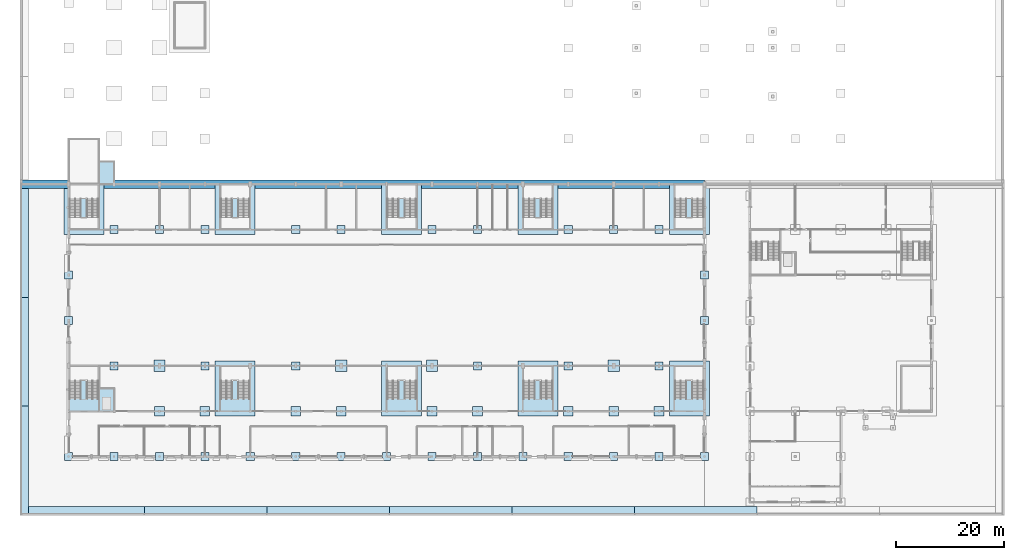
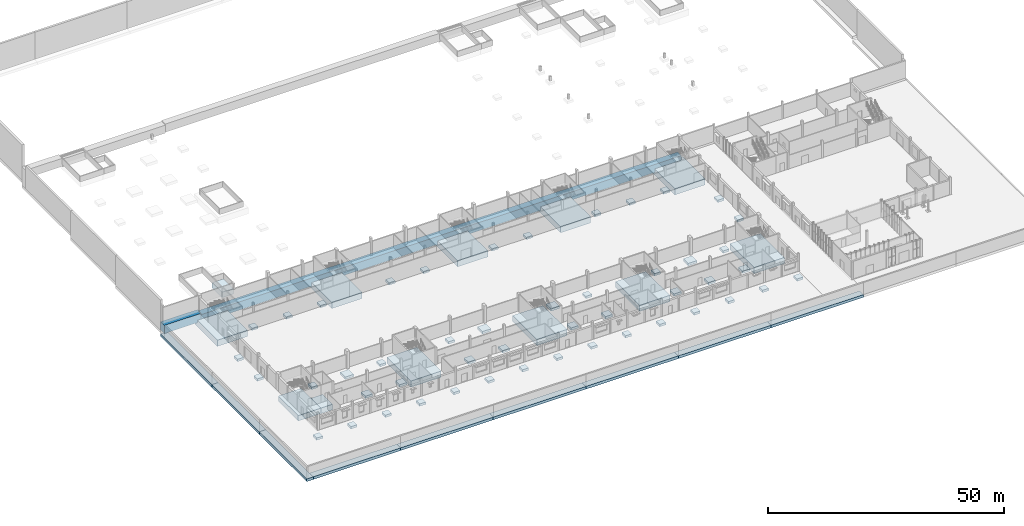
# One storey, part 1 of 36: 71 footings.
"""IFC4 building model written with IfcOpenShell, lengths in metres."""

from ifc_helpers import new_model, si_unit, direction, frame, origin, place, context, subcontext, project, spatial, polyline, outline, extrude, material, type_object, element, save


model = new_model("IFC4")

# Units and contexts
model_context = context("Model", 3, precision=1e-05, world=origin(), true_north=direction((0.0, 1.0)))
body_context = subcontext(model_context, "Body", "Model", "MODEL_VIEW")
ifc_project = project(units=[si_unit("LENGTHUNIT", "METRE"), si_unit("AREAUNIT", "SQUARE_METRE"), si_unit("VOLUMEUNIT", "CUBIC_METRE"), si_unit("PLANEANGLEUNIT", "RADIAN"), si_unit("MASSUNIT", "GRAM", prefix="KILO")], contexts=[model_context])

# Site, building, storey
site_placement = place(None, origin())
site = spatial("IfcSite", under=ifc_project, at=site_placement, CompositionType="ELEMENT")
building_placement = place(site_placement, origin())
building = spatial("IfcBuilding", under=site, at=building_placement, Name="Fescue Hill Polytechnic", CompositionType="ELEMENT")
storey_placement = place(building_placement, origin())
storey = spatial("IfcBuildingStorey", under=building, at=storey_placement, Name="L00", CompositionType="ELEMENT", Elevation=0.0)

# Footings
ifc_material = material(Name="Concrete 35 MPa", Category="concrete")
footing_type_1 = type_object("IfcFootingType", Name="Pad footing 1500x1500x600", PredefinedType="PAD_FOOTING", material=ifc_material)
footing_1_placement = place(storey_placement, frame((0.0, 0.0, -2.10009765625)))
element("IfcFooting", 1, at=footing_1_placement, inside=storey, type_object=footing_type_1, Name="FT-L00-002", PredefinedType="PAD_FOOTING", context=body_context, shape_type="SweptSolid", body=[
    extrude(outline(polyline([(0.75, -0.75), (0.75, 0.75), (-0.75, 0.75), (-0.75, -0.75), (0.75, -0.75)])), origin(), (0.0, 0.0, 1.0), 0.60009765625),
])
footing_2_placement = place(storey_placement, frame((0.0, 0.0, -2.10009765625)))
element("IfcFooting", 2, at=footing_2_placement, inside=storey, type_object=footing_type_1, Name="FT-L00-003", PredefinedType="PAD_FOOTING", context=body_context, shape_type="SweptSolid", body=[
    extrude(outline(polyline([(0.75, 24.449951171875), (0.75, 25.949951171875), (-0.75, 25.949951171875), (-0.75, 24.449951171875), (0.75, 24.449951171875)])), origin(), (0.0, 0.0, 1.0), 0.60009765625),
])
footing_3_placement = place(storey_placement, frame((0.0, 0.0, -2.10009765625)))
element("IfcFooting", 3, at=footing_3_placement, inside=storey, type_object=footing_type_1, Name="FT-L00-004", PredefinedType="PAD_FOOTING", context=body_context, shape_type="SweptSolid", body=[
    extrude(outline(polyline([(0.75, 32.85009765625), (0.75, 34.35009765625), (-0.75, 34.35009765625), (-0.75, 32.85009765625), (0.75, 32.85009765625)])), origin(), (0.0, 0.0, 1.0), 0.60009765625),
])
footing_4_placement = place(storey_placement, frame((0.0, 0.0, -2.10009765625)))
element("IfcFooting", 4, at=footing_4_placement, inside=storey, type_object=footing_type_1, Name="FT-L00-007", PredefinedType="PAD_FOOTING", context=body_context, shape_type="SweptSolid", body=[
    extrude(outline(polyline([(9.14990234375, -0.75), (9.14990234375, 0.75), (7.64990234375, 0.75), (7.64990234375, -0.75), (9.14990234375, -0.75)])), origin(), (0.0, 0.0, 1.0), 0.60009765625),
])
footing_5_placement = place(storey_placement, frame((0.0, 0.0, -2.10009765625)))
element("IfcFooting", 5, at=footing_5_placement, inside=storey, type_object=footing_type_1, Name="FT-L00-008", PredefinedType="PAD_FOOTING", context=body_context, shape_type="SweptSolid", body=[
    extrude(outline(polyline([(9.14990234375, 16.050048828125), (9.14990234375, 17.550048828125), (7.64990234375, 17.550048828125), (7.64990234375, 16.050048828125), (9.14990234375, 16.050048828125)])), origin(), (0.0, 0.0, 1.0), 0.60009765625),
])
footing_6_placement = place(storey_placement, frame((0.0, 0.0, -2.10009765625)))
element("IfcFooting", 6, at=footing_6_placement, inside=storey, type_object=footing_type_1, Name="FT-L00-009", PredefinedType="PAD_FOOTING", context=body_context, shape_type="SweptSolid", body=[
    extrude(outline(polyline([(9.14990234375, 41.25), (9.14990234375, 42.75), (7.64990234375, 42.75), (7.64990234375, 41.25), (9.14990234375, 41.25)])), origin(), (0.0, 0.0, 1.0), 0.60009765625),
])
footing_7_placement = place(storey_placement, frame((0.0, 0.0, -2.10009765625)))
element("IfcFooting", 7, at=footing_7_placement, inside=storey, type_object=footing_type_1, Name="FT-L00-012", PredefinedType="PAD_FOOTING", context=body_context, shape_type="SweptSolid", body=[
    extrude(outline(polyline([(17.550048828125, -0.75), (17.550048828125, 0.75), (16.050048828125, 0.75), (16.050048828125, -0.75), (17.550048828125, -0.75)])), origin(), (0.0, 0.0, 1.0), 0.60009765625),
])
footing_8_placement = place(storey_placement, frame((0.0, 0.0, -2.10009765625)))
element("IfcFooting", 8, at=footing_8_placement, inside=storey, type_object=footing_type_1, Name="FT-L00-013", PredefinedType="PAD_FOOTING", context=body_context, shape_type="SweptSolid", body=[
    extrude(outline(polyline([(17.550048828125, 41.25), (17.550048828125, 42.75), (16.050048828125, 42.75), (16.050048828125, 41.25), (17.550048828125, 41.25)])), origin(), (0.0, 0.0, 1.0), 0.60009765625),
])
footing_9_placement = place(storey_placement, frame((0.0, 0.0, -2.10009765625)))
element("IfcFooting", 9, at=footing_9_placement, inside=storey, type_object=footing_type_1, Name="FT-L00-015", PredefinedType="PAD_FOOTING", context=body_context, shape_type="SweptSolid", body=[
    extrude(outline(polyline([(25.949951171875, -0.75), (25.949951171875, 0.75), (24.449951171875, 0.75), (24.449951171875, -0.75), (25.949951171875, -0.75)])), origin(), (0.0, 0.0, 1.0), 0.60009765625),
])
footing_10_placement = place(storey_placement, frame((0.0, 0.0, -2.10009765625)))
element("IfcFooting", 10, at=footing_10_placement, inside=storey, type_object=footing_type_1, Name="FT-L00-016", PredefinedType="PAD_FOOTING", context=body_context, shape_type="SweptSolid", body=[
    extrude(outline(polyline([(25.949951171875, 16.050048828125), (25.949951171875, 17.550048828125), (24.449951171875, 17.550048828125), (24.449951171875, 16.050048828125), (25.949951171875, 16.050048828125)])), origin(), (0.0, 0.0, 1.0), 0.60009765625),
])
footing_11_placement = place(storey_placement, frame((0.0, 0.0, -2.10009765625)))
element("IfcFooting", 11, at=footing_11_placement, inside=storey, type_object=footing_type_1, Name="FT-L00-017", PredefinedType="PAD_FOOTING", context=body_context, shape_type="SweptSolid", body=[
    extrude(outline(polyline([(25.949951171875, 41.25), (25.949951171875, 42.75), (24.449951171875, 42.75), (24.449951171875, 41.25), (25.949951171875, 41.25)])), origin(), (0.0, 0.0, 1.0), 0.60009765625),
])
footing_12_placement = place(storey_placement, frame((0.0, 0.0, -2.10009765625)))
element("IfcFooting", 12, at=footing_12_placement, inside=storey, type_object=footing_type_1, Name="FT-L00-020", PredefinedType="PAD_FOOTING", context=body_context, shape_type="SweptSolid", body=[
    extrude(outline(polyline([(34.35009765625, -0.75), (34.35009765625, 0.75), (32.85009765625, 0.75), (32.85009765625, -0.75), (34.35009765625, -0.75)])), origin(), (0.0, 0.0, 1.0), 0.60009765625),
])
footing_13_placement = place(storey_placement, frame((0.0, 0.0, -2.10009765625)))
element("IfcFooting", 13, at=footing_13_placement, inside=storey, type_object=footing_type_1, Name="FT-L00-022", PredefinedType="PAD_FOOTING", context=body_context, shape_type="SweptSolid", body=[
    extrude(outline(polyline([(42.75, -0.75), (42.75, 0.75), (41.25, 0.75), (41.25, -0.75), (42.75, -0.75)])), origin(), (0.0, 0.0, 1.0), 0.60009765625),
])
footing_14_placement = place(storey_placement, frame((0.0, 0.0, -2.10009765625)))
element("IfcFooting", 14, at=footing_14_placement, inside=storey, type_object=footing_type_1, Name="FT-L00-023", PredefinedType="PAD_FOOTING", context=body_context, shape_type="SweptSolid", body=[
    extrude(outline(polyline([(42.75, 16.050048828125), (42.75, 17.550048828125), (41.25, 17.550048828125), (41.25, 16.050048828125), (42.75, 16.050048828125)])), origin(), (0.0, 0.0, 1.0), 0.60009765625),
])
footing_15_placement = place(storey_placement, frame((0.0, 0.0, -2.10009765625)))
element("IfcFooting", 15, at=footing_15_placement, inside=storey, type_object=footing_type_1, Name="FT-L00-024", PredefinedType="PAD_FOOTING", context=body_context, shape_type="SweptSolid", body=[
    extrude(outline(polyline([(42.75, 41.25), (42.75, 42.75), (41.25, 42.75), (41.25, 41.25), (42.75, 41.25)])), origin(), (0.0, 0.0, 1.0), 0.60009765625),
])
footing_16_placement = place(storey_placement, frame((0.0, 0.0, -2.10009765625)))
element("IfcFooting", 16, at=footing_16_placement, inside=storey, type_object=footing_type_1, Name="FT-L00-027", PredefinedType="PAD_FOOTING", context=body_context, shape_type="SweptSolid", body=[
    extrude(outline(polyline([(51.14990234375, -0.75), (51.14990234375, 0.75), (49.64990234375, 0.75), (49.64990234375, -0.75), (51.14990234375, -0.75)])), origin(), (0.0, 0.0, 1.0), 0.60009765625),
])
footing_17_placement = place(storey_placement, frame((0.0, 0.0, -2.10009765625)))
element("IfcFooting", 17, at=footing_17_placement, inside=storey, type_object=footing_type_1, Name="FT-L00-028", PredefinedType="PAD_FOOTING", context=body_context, shape_type="SweptSolid", body=[
    extrude(outline(polyline([(51.14990234375, 41.25), (51.14990234375, 42.75), (49.64990234375, 42.75), (49.64990234375, 41.25), (51.14990234375, 41.25)])), origin(), (0.0, 0.0, 1.0), 0.60009765625),
])
footing_18_placement = place(storey_placement, frame((0.0, 0.0, -2.10009765625)))
element("IfcFooting", 18, at=footing_18_placement, inside=storey, type_object=footing_type_1, Name="FT-L00-031", PredefinedType="PAD_FOOTING", context=body_context, shape_type="SweptSolid", body=[
    extrude(outline(polyline([(59.550048828125, -0.75), (59.550048828125, 0.75), (58.050048828125, 0.75), (58.050048828125, -0.75), (59.550048828125, -0.75)])), origin(), (0.0, 0.0, 1.0), 0.60009765625),
])
footing_19_placement = place(storey_placement, frame((0.0, 0.0, -2.10009765625)))
element("IfcFooting", 19, at=footing_19_placement, inside=storey, type_object=footing_type_1, Name="FT-L00-034", PredefinedType="PAD_FOOTING", context=body_context, shape_type="SweptSolid", body=[
    extrude(outline(polyline([(67.949951171875, -0.75), (67.949951171875, 0.75), (66.449951171875, 0.75), (66.449951171875, -0.75), (67.949951171875, -0.75)])), origin(), (0.0, 0.0, 1.0), 0.60009765625),
])
footing_20_placement = place(storey_placement, frame((0.0, 0.0, -2.10009765625)))
element("IfcFooting", 20, at=footing_20_placement, inside=storey, type_object=footing_type_1, Name="FT-L00-035", PredefinedType="PAD_FOOTING", context=body_context, shape_type="SweptSolid", body=[
    extrude(outline(polyline([(67.949951171875, 41.25), (67.949951171875, 42.75), (66.449951171875, 42.75), (66.449951171875, 41.25), (67.949951171875, 41.25)])), origin(), (0.0, 0.0, 1.0), 0.60009765625),
])
footing_21_placement = place(storey_placement, frame((0.0, 0.0, -2.10009765625)))
element("IfcFooting", 21, at=footing_21_placement, inside=storey, type_object=footing_type_1, Name="FT-L00-037", PredefinedType="PAD_FOOTING", context=body_context, shape_type="SweptSolid", body=[
    extrude(outline(polyline([(76.35009765625, -0.75), (76.35009765625, 0.75), (74.85009765625, 0.75), (74.85009765625, -0.75), (76.35009765625, -0.75)])), origin(), (0.0, 0.0, 1.0), 0.60009765625),
])
footing_22_placement = place(storey_placement, frame((0.0, 0.0, -2.10009765625)))
element("IfcFooting", 22, at=footing_22_placement, inside=storey, type_object=footing_type_1, Name="FT-L00-038", PredefinedType="PAD_FOOTING", context=body_context, shape_type="SweptSolid", body=[
    extrude(outline(polyline([(76.35009765625, 16.050048828125), (76.35009765625, 17.550048828125), (74.85009765625, 17.550048828125), (74.85009765625, 16.050048828125), (76.35009765625, 16.050048828125)])), origin(), (0.0, 0.0, 1.0), 0.60009765625),
])
footing_23_placement = place(storey_placement, frame((0.0, 0.0, -2.10009765625)))
element("IfcFooting", 23, at=footing_23_placement, inside=storey, type_object=footing_type_1, Name="FT-L00-039", PredefinedType="PAD_FOOTING", context=body_context, shape_type="SweptSolid", body=[
    extrude(outline(polyline([(76.35009765625, 41.25), (76.35009765625, 42.75), (74.85009765625, 42.75), (74.85009765625, 41.25), (76.35009765625, 41.25)])), origin(), (0.0, 0.0, 1.0), 0.60009765625),
])
footing_24_placement = place(storey_placement, frame((0.0, 0.0, -2.10009765625)))
element("IfcFooting", 24, at=footing_24_placement, inside=storey, type_object=footing_type_1, Name="FT-L00-042", PredefinedType="PAD_FOOTING", context=body_context, shape_type="SweptSolid", body=[
    extrude(outline(polyline([(84.75, -0.75), (84.75, 0.75), (83.25, 0.75), (83.25, -0.75), (84.75, -0.75)])), origin(), (0.0, 0.0, 1.0), 0.60009765625),
])
footing_25_placement = place(storey_placement, frame((0.0, 0.0, -2.10009765625)))
element("IfcFooting", 25, at=footing_25_placement, inside=storey, type_object=footing_type_1, Name="FT-L00-044", PredefinedType="PAD_FOOTING", context=body_context, shape_type="SweptSolid", body=[
    extrude(outline(polyline([(93.14990234375, -0.75), (93.14990234375, 0.75), (91.64990234375, 0.75), (91.64990234375, -0.75), (93.14990234375, -0.75)])), origin(), (0.0, 0.0, 1.0), 0.60009765625),
])
footing_26_placement = place(storey_placement, frame((0.0, 0.0, -2.10009765625)))
element("IfcFooting", 26, at=footing_26_placement, inside=storey, type_object=footing_type_1, Name="FT-L00-045", PredefinedType="PAD_FOOTING", context=body_context, shape_type="SweptSolid", body=[
    extrude(outline(polyline([(93.14990234375, 16.050048828125), (93.14990234375, 17.550048828125), (91.64990234375, 17.550048828125), (91.64990234375, 16.050048828125), (93.14990234375, 16.050048828125)])), origin(), (0.0, 0.0, 1.0), 0.60009765625),
])
footing_27_placement = place(storey_placement, frame((0.0, 0.0, -2.10009765625)))
element("IfcFooting", 27, at=footing_27_placement, inside=storey, type_object=footing_type_1, Name="FT-L00-046", PredefinedType="PAD_FOOTING", context=body_context, shape_type="SweptSolid", body=[
    extrude(outline(polyline([(93.14990234375, 41.25), (93.14990234375, 42.75), (91.64990234375, 42.75), (91.64990234375, 41.25), (93.14990234375, 41.25)])), origin(), (0.0, 0.0, 1.0), 0.60009765625),
])
footing_28_placement = place(storey_placement, frame((0.0, 0.0, -2.10009765625)))
element("IfcFooting", 28, at=footing_28_placement, inside=storey, type_object=footing_type_1, Name="FT-L00-049", PredefinedType="PAD_FOOTING", context=body_context, shape_type="SweptSolid", body=[
    extrude(outline(polyline([(101.550048828125, -0.75), (101.550048828125, 0.75), (100.050048828125, 0.75), (100.050048828125, -0.75), (101.550048828125, -0.75)])), origin(), (0.0, 0.0, 1.0), 0.60009765625),
])
footing_29_placement = place(storey_placement, frame((0.0, 0.0, -2.10009765625)))
element("IfcFooting", 29, at=footing_29_placement, inside=storey, type_object=footing_type_1, Name="FT-L00-050", PredefinedType="PAD_FOOTING", context=body_context, shape_type="SweptSolid", body=[
    extrude(outline(polyline([(101.550048828125, 41.25), (101.550048828125, 42.75), (100.050048828125, 42.75), (100.050048828125, 41.25), (101.550048828125, 41.25)])), origin(), (0.0, 0.0, 1.0), 0.60009765625),
])
footing_30_placement = place(storey_placement, frame((0.0, 0.0, -2.10009765625)))
element("IfcFooting", 30, at=footing_30_placement, inside=storey, type_object=footing_type_1, Name="FT-L00-052", PredefinedType="PAD_FOOTING", context=body_context, shape_type="SweptSolid", body=[
    extrude(outline(polyline([(109.949951171875, -0.75), (109.949951171875, 0.75), (108.449951171875, 0.75), (108.449951171875, -0.75), (109.949951171875, -0.75)])), origin(), (0.0, 0.0, 1.0), 0.60009765625),
])
footing_31_placement = place(storey_placement, frame((0.0, 0.0, -2.10009765625)))
element("IfcFooting", 31, at=footing_31_placement, inside=storey, type_object=footing_type_1, Name="FT-L00-053", PredefinedType="PAD_FOOTING", context=body_context, shape_type="SweptSolid", body=[
    extrude(outline(polyline([(109.949951171875, 16.050048828125), (109.949951171875, 17.550048828125), (108.449951171875, 17.550048828125), (108.449951171875, 16.050048828125), (109.949951171875, 16.050048828125)])), origin(), (0.0, 0.0, 1.0), 0.60009765625),
])
footing_32_placement = place(storey_placement, frame((0.0, 0.0, -2.10009765625)))
element("IfcFooting", 32, at=footing_32_placement, inside=storey, type_object=footing_type_1, Name="FT-L00-054", PredefinedType="PAD_FOOTING", context=body_context, shape_type="SweptSolid", body=[
    extrude(outline(polyline([(109.949951171875, 41.25), (109.949951171875, 42.75), (108.449951171875, 42.75), (108.449951171875, 41.25), (109.949951171875, 41.25)])), origin(), (0.0, 0.0, 1.0), 0.60009765625),
])
footing_33_placement = place(storey_placement, frame((0.0, 0.0, -2.10009765625)))
element("IfcFooting", 33, at=footing_33_placement, inside=storey, type_object=footing_type_1, Name="FT-L00-057", PredefinedType="PAD_FOOTING", context=body_context, shape_type="SweptSolid", body=[
    extrude(outline(polyline([(118.35009765625, -0.75), (118.35009765625, 0.75), (116.85009765625, 0.75), (116.85009765625, -0.75), (118.35009765625, -0.75)])), origin(), (0.0, 0.0, 1.0), 0.60009765625),
])
footing_34_placement = place(storey_placement, frame((0.0, 0.0, -2.10009765625)))
element("IfcFooting", 34, at=footing_34_placement, inside=storey, type_object=footing_type_1, Name="FT-L00-058", PredefinedType="PAD_FOOTING", context=body_context, shape_type="SweptSolid", body=[
    extrude(outline(polyline([(118.35009765625, 24.449951171875), (118.35009765625, 25.949951171875), (116.85009765625, 25.949951171875), (116.85009765625, 24.449951171875), (118.35009765625, 24.449951171875)])), origin(), (0.0, 0.0, 1.0), 0.60009765625),
])
footing_35_placement = place(storey_placement, frame((0.0, 0.0, -2.10009765625)))
element("IfcFooting", 35, at=footing_35_placement, inside=storey, type_object=footing_type_1, Name="FT-L00-059", PredefinedType="PAD_FOOTING", context=body_context, shape_type="SweptSolid", body=[
    extrude(outline(polyline([(118.35009765625, 32.85009765625), (118.35009765625, 34.35009765625), (116.85009765625, 34.35009765625), (116.85009765625, 32.85009765625), (118.35009765625, 32.85009765625)])), origin(), (0.0, 0.0, 1.0), 0.60009765625),
])
footing_type_2 = type_object("IfcFootingType", Name="Pad footing 1800x1800x600", PredefinedType="PAD_FOOTING", material=ifc_material)
footing_36_placement = place(storey_placement, frame((0.0, 0.0, -2.10009765625)))
element("IfcFooting", 36, at=footing_36_placement, inside=storey, type_object=footing_type_2, Name="FT-L00-011", PredefinedType="PAD_FOOTING", context=body_context, shape_type="SweptSolid", body=[
    extrude(outline(polyline([(17.699951171875, 7.5), (17.699951171875, 9.300048828125), (15.89990234375, 9.300048828125), (15.89990234375, 7.5), (17.699951171875, 7.5)])), origin(), (0.0, 0.0, 1.0), 0.60009765625),
])
footing_37_placement = place(storey_placement, frame((0.0, 0.0, -2.10009765625)))
element("IfcFooting", 37, at=footing_37_placement, inside=storey, type_object=footing_type_2, Name="FT-L00-014", PredefinedType="PAD_FOOTING", context=body_context, shape_type="SweptSolid", body=[
    extrude(outline(polyline([(26.10009765625, 7.5), (26.10009765625, 9.300048828125), (24.300048828125, 9.300048828125), (24.300048828125, 7.5), (26.10009765625, 7.5)])), origin(), (0.0, 0.0, 1.0), 0.60009765625),
])
footing_38_placement = place(storey_placement, frame((0.0, 0.0, -2.10009765625)))
element("IfcFooting", 38, at=footing_38_placement, inside=storey, type_object=footing_type_2, Name="FT-L00-021", PredefinedType="PAD_FOOTING", context=body_context, shape_type="SweptSolid", body=[
    extrude(outline(polyline([(42.89990234375, 7.5), (42.89990234375, 9.300048828125), (41.10009765625, 9.300048828125), (41.10009765625, 7.5), (42.89990234375, 7.5)])), origin(), (0.0, 0.0, 1.0), 0.60009765625),
])
footing_39_placement = place(storey_placement, frame((0.0, 0.0, -2.10009765625)))
element("IfcFooting", 39, at=footing_39_placement, inside=storey, type_object=footing_type_2, Name="FT-L00-026", PredefinedType="PAD_FOOTING", context=body_context, shape_type="SweptSolid", body=[
    extrude(outline(polyline([(51.300048828125, 7.5), (51.300048828125, 9.300048828125), (49.5, 9.300048828125), (49.5, 7.5), (51.300048828125, 7.5)])), origin(), (0.0, 0.0, 1.0), 0.60009765625),
])
footing_40_placement = place(storey_placement, frame((0.0, 0.0, -2.10009765625)))
element("IfcFooting", 40, at=footing_40_placement, inside=storey, type_object=footing_type_2, Name="FT-L00-033", PredefinedType="PAD_FOOTING", context=body_context, shape_type="SweptSolid", body=[
    extrude(outline(polyline([(68.10009765625, 7.5), (68.10009765625, 9.300048828125), (66.300048828125, 9.300048828125), (66.300048828125, 7.5), (68.10009765625, 7.5)])), origin(), (0.0, 0.0, 1.0), 0.60009765625),
])
footing_41_placement = place(storey_placement, frame((0.0, 0.0, -2.10009765625)))
element("IfcFooting", 41, at=footing_41_placement, inside=storey, type_object=footing_type_2, Name="FT-L00-036", PredefinedType="PAD_FOOTING", context=body_context, shape_type="SweptSolid", body=[
    extrude(outline(polyline([(76.5, 7.5), (76.5, 9.300048828125), (74.699951171875, 9.300048828125), (74.699951171875, 7.5), (76.5, 7.5)])), origin(), (0.0, 0.0, 1.0), 0.60009765625),
])
footing_42_placement = place(storey_placement, frame((0.0, 0.0, -2.10009765625)))
element("IfcFooting", 42, at=footing_42_placement, inside=storey, type_object=footing_type_2, Name="FT-L00-043", PredefinedType="PAD_FOOTING", context=body_context, shape_type="SweptSolid", body=[
    extrude(outline(polyline([(93.300048828125, 7.5), (93.300048828125, 9.300048828125), (91.5, 9.300048828125), (91.5, 7.5), (93.300048828125, 7.5)])), origin(), (0.0, 0.0, 1.0), 0.60009765625),
])
footing_43_placement = place(storey_placement, frame((0.0, 0.0, -2.10009765625)))
element("IfcFooting", 43, at=footing_43_placement, inside=storey, type_object=footing_type_2, Name="FT-L00-048", PredefinedType="PAD_FOOTING", context=body_context, shape_type="SweptSolid", body=[
    extrude(outline(polyline([(101.699951171875, 7.5), (101.699951171875, 9.300048828125), (99.89990234375, 9.300048828125), (99.89990234375, 7.5), (101.699951171875, 7.5)])), origin(), (0.0, 0.0, 1.0), 0.60009765625),
])
footing_44_placement = place(storey_placement, frame((0.0, 0.0, -2.10009765625)))
element("IfcFooting", 44, at=footing_44_placement, inside=storey, type_object=footing_type_2, Name="FT-L00-051", PredefinedType="PAD_FOOTING", context=body_context, shape_type="SweptSolid", body=[
    extrude(outline(polyline([(110.10009765625, 7.5), (110.10009765625, 9.300048828125), (108.300048828125, 9.300048828125), (108.300048828125, 7.5), (110.10009765625, 7.5)])), origin(), (0.0, 0.0, 1.0), 0.60009765625),
])
footing_type_3 = type_object("IfcFootingType", Name="Pad footing 2100x2100x600", PredefinedType="PAD_FOOTING", material=ifc_material)
footing_45_placement = place(storey_placement, frame((0.0, 0.0, -2.10009765625)))
element("IfcFooting", 45, at=footing_45_placement, inside=storey, type_object=footing_type_3, Name="FT-L00-010", PredefinedType="PAD_FOOTING", context=body_context, shape_type="SweptSolid", body=[
    extrude(outline(polyline([(17.85009765625, 15.75), (17.85009765625, 17.85009765625), (15.75, 17.85009765625), (15.75, 15.75), (17.85009765625, 15.75)])), origin(), (0.0, 0.0, 1.0), 0.60009765625),
])
footing_46_placement = place(storey_placement, frame((0.0, 0.0, -2.10009765625)))
element("IfcFooting", 46, at=footing_46_placement, inside=storey, type_object=footing_type_3, Name="FT-L00-025", PredefinedType="PAD_FOOTING", context=body_context, shape_type="SweptSolid", body=[
    extrude(outline(polyline([(51.449951171875, 15.75), (51.449951171875, 17.85009765625), (49.35009765625, 17.85009765625), (49.35009765625, 15.75), (51.449951171875, 15.75)])), origin(), (0.0, 0.0, 1.0), 0.60009765625),
])
footing_47_placement = place(storey_placement, frame((0.0, 0.0, -2.10009765625)))
element("IfcFooting", 47, at=footing_47_placement, inside=storey, type_object=footing_type_3, Name="FT-L00-032", PredefinedType="PAD_FOOTING", context=body_context, shape_type="SweptSolid", body=[
    extrude(outline(polyline([(68.25, 15.75), (68.25, 17.85009765625), (66.14990234375, 17.85009765625), (66.14990234375, 15.75), (68.25, 15.75)])), origin(), (0.0, 0.0, 1.0), 0.60009765625),
])
footing_48_placement = place(storey_placement, frame((0.0, 0.0, -2.10009765625)))
element("IfcFooting", 48, at=footing_48_placement, inside=storey, type_object=footing_type_3, Name="FT-L00-047", PredefinedType="PAD_FOOTING", context=body_context, shape_type="SweptSolid", body=[
    extrude(outline(polyline([(101.85009765625, 15.75), (101.85009765625, 17.85009765625), (99.75, 17.85009765625), (99.75, 15.75), (101.85009765625, 15.75)])), origin(), (0.0, 0.0, 1.0), 0.60009765625),
])
footing_type_4 = type_object("IfcFootingType", Name="Pad footing 2800x4200x1400", PredefinedType="PAD_FOOTING", material=ifc_material)
footing_49_placement = place(storey_placement, frame((0.0, 0.0, -2.89990234375)))
element("IfcFooting", 49, at=footing_49_placement, inside=storey, type_object=footing_type_4, Name="FT-L00-006", PredefinedType="PAD_FOOTING", context=body_context, shape_type="SweptSolid", body=[
    extrude(outline(polyline([(8.39990234375, 8.39990234375), (8.39990234375, 12.60009765625), (5.60009765625, 12.60009765625), (5.60009765625, 8.39990234375), (8.39990234375, 8.39990234375)])), origin(), (0.0, 0.0, 1.0), 1.39990234375),
])
footing_50_placement = place(storey_placement, frame((0.0, 0.0, 1.60009765625)))
element("IfcFooting", 50, at=footing_50_placement, inside=storey, type_object=footing_type_4, Name="FT-L00-088", PredefinedType="PAD_FOOTING", context=body_context, shape_type="SweptSolid", body=[
    extrude(outline(polyline([(8.39990234375, 50.39990234375), (8.39990234375, 54.60009765625), (5.60009765625, 54.60009765625), (5.60009765625, 50.39990234375), (8.39990234375, 50.39990234375)])), origin(), (0.0, 0.0, 1.0), 1.39990234375),
])
footing_type_5 = type_object("IfcFootingType", Name="Raft footing 5600x8400x1400", PredefinedType="PAD_FOOTING", material=ifc_material)
footing_51_placement = place(storey_placement, frame((0.0, 0.0, -2.89990234375)))
element("IfcFooting", 51, at=footing_51_placement, inside=storey, type_object=footing_type_5, Name="FT-L00-005", PredefinedType="PAD_FOOTING", context=body_context, shape_type="SweptSolid", body=[
    extrude(outline(polyline([(5.60009765625, 8.39990234375), (5.60009765625, 16.800048828125), (0.0, 16.800048828125), (0.0, 8.39990234375), (5.60009765625, 8.39990234375)])), origin(), (0.0, 0.0, 1.0), 1.39990234375),
])
footing_type_6 = type_object("IfcFootingType", Name="Raft footing 7400x10200x1600", PredefinedType="PAD_FOOTING", material=ifc_material)
footing_52_placement = place(storey_placement, frame((0.0, 0.0, -3.10009765625)))
element("IfcFooting", 52, at=footing_52_placement, inside=storey, type_object=footing_type_6, Name="FT-L00-018", PredefinedType="PAD_FOOTING", context=body_context, shape_type="SweptSolid", body=[
    extrude(outline(polyline([(27.10009765625, 7.5), (27.10009765625, 17.699951171875), (34.5, 17.699951171875), (34.5, 7.5), (27.10009765625, 7.5)])), origin(), (0.0, 0.0, 1.0), 1.60009765625),
])
footing_53_placement = place(storey_placement, frame((0.0, 0.0, -3.10009765625)))
element("IfcFooting", 53, at=footing_53_placement, inside=storey, type_object=footing_type_6, Name="FT-L00-029", PredefinedType="PAD_FOOTING", context=body_context, shape_type="SweptSolid", body=[
    extrude(outline(polyline([(57.89990234375, 7.5), (57.89990234375, 17.699951171875), (65.300048828125, 17.699951171875), (65.300048828125, 7.5), (57.89990234375, 7.5)])), origin(), (0.0, 0.0, 1.0), 1.60009765625),
])
footing_54_placement = place(storey_placement, frame((0.0, 0.0, -3.10009765625)))
element("IfcFooting", 54, at=footing_54_placement, inside=storey, type_object=footing_type_6, Name="FT-L00-040", PredefinedType="PAD_FOOTING", context=body_context, shape_type="SweptSolid", body=[
    extrude(outline(polyline([(83.10009765625, 7.5), (83.10009765625, 17.699951171875), (90.5, 17.699951171875), (90.5, 7.5), (83.10009765625, 7.5)])), origin(), (0.0, 0.0, 1.0), 1.60009765625),
])
footing_55_placement = place(storey_placement, frame((0.0, 0.0, -3.10009765625)))
element("IfcFooting", 55, at=footing_55_placement, inside=storey, type_object=footing_type_6, Name="FT-L00-055", PredefinedType="PAD_FOOTING", context=body_context, shape_type="SweptSolid", body=[
    extrude(outline(polyline([(111.10009765625, 7.5), (111.10009765625, 17.699951171875), (118.5, 17.699951171875), (118.5, 7.5), (111.10009765625, 7.5)])), origin(), (0.0, 0.0, 1.0), 1.60009765625),
])
footing_type_7 = type_object("IfcFootingType", Name="Raft footing 7400x9450x1600", PredefinedType="PAD_FOOTING", material=ifc_material)
footing_56_placement = place(storey_placement, frame((0.0, 0.0, -3.10009765625)))
element("IfcFooting", 56, at=footing_56_placement, inside=storey, type_object=footing_type_7, Name="FT-L00-001", PredefinedType="PAD_FOOTING", context=body_context, shape_type="SweptSolid", body=[
    extrude(outline(polyline([(6.5, 41.10009765625), (-0.89990234375, 41.10009765625), (-0.89990234375, 50.550048828125), (6.5, 50.550048828125), (6.5, 41.10009765625)])), origin(), (0.0, 0.0, 1.0), 1.60009765625),
])
footing_57_placement = place(storey_placement, frame((0.0, 0.0, -3.10009765625)))
element("IfcFooting", 57, at=footing_57_placement, inside=storey, type_object=footing_type_7, Name="FT-L00-019", PredefinedType="PAD_FOOTING", context=body_context, shape_type="SweptSolid", body=[
    extrude(outline(polyline([(34.5, 41.10009765625), (27.10009765625, 41.10009765625), (27.10009765625, 50.550048828125), (34.5, 50.550048828125), (34.5, 41.10009765625)])), origin(), (0.0, 0.0, 1.0), 1.60009765625),
])
footing_58_placement = place(storey_placement, frame((0.0, 0.0, -3.10009765625)))
element("IfcFooting", 58, at=footing_58_placement, inside=storey, type_object=footing_type_7, Name="FT-L00-030", PredefinedType="PAD_FOOTING", context=body_context, shape_type="SweptSolid", body=[
    extrude(outline(polyline([(65.300048828125, 41.10009765625), (57.89990234375, 41.10009765625), (57.89990234375, 50.550048828125), (65.300048828125, 50.550048828125), (65.300048828125, 41.10009765625)])), origin(), (0.0, 0.0, 1.0), 1.60009765625),
])
footing_59_placement = place(storey_placement, frame((0.0, 0.0, -3.10009765625)))
element("IfcFooting", 59, at=footing_59_placement, inside=storey, type_object=footing_type_7, Name="FT-L00-041", PredefinedType="PAD_FOOTING", context=body_context, shape_type="SweptSolid", body=[
    extrude(outline(polyline([(90.5, 41.10009765625), (83.10009765625, 41.10009765625), (83.10009765625, 50.550048828125), (90.5, 50.550048828125), (90.5, 41.10009765625)])), origin(), (0.0, 0.0, 1.0), 1.60009765625),
])
footing_60_placement = place(storey_placement, frame((0.0, 0.0, -3.10009765625)))
element("IfcFooting", 60, at=footing_60_placement, inside=storey, type_object=footing_type_7, Name="FT-L00-056", PredefinedType="PAD_FOOTING", context=body_context, shape_type="SweptSolid", body=[
    extrude(outline(polyline([(118.5, 41.10009765625), (111.10009765625, 41.10009765625), (111.10009765625, 50.550048828125), (118.5, 50.550048828125), (118.5, 41.10009765625)])), origin(), (0.0, 0.0, 1.0), 1.60009765625),
])
footing_type_8 = type_object("IfcFootingType", Name="Strip footing 1600x2100", PredefinedType="STRIP_FOOTING", material=ifc_material)
footing_61_placement = place(storey_placement, frame((0.0, 0.0, -2.10009765625)))
element("IfcFooting", 61, at=footing_61_placement, inside=storey, type_object=footing_type_8, Name="SF-L00-003", PredefinedType="STRIP_FOOTING", context=body_context, shape_type="SweptSolid", body=[
    extrude(outline(polyline([(0.0, 51.199951171875), (0.0, 49.60009765625), (-8.989990234375, 49.60009765625), (-8.989990234375, 51.199951171875), (0.0, 51.199951171875)])), origin(), (0.0, 0.0, 1.0), 2.10009765625),
])
footing_62_placement = place(storey_placement, frame((0.0, 0.0, -2.449951171875)))
element("IfcFooting", 62, at=footing_62_placement, inside=storey, type_object=footing_type_8, Name="SF-L00-008", PredefinedType="STRIP_FOOTING", context=body_context, shape_type="SweptSolid", body=[
    extrude(outline(polyline([(0.0, 49.60009765625), (0.0, 51.199951171875), (117.60009765625, 51.199951171875), (117.60009765625, 49.60009765625), (0.0, 49.60009765625)])), origin(), (0.0, 0.0, 1.0), 2.099853515625),
])
footing_type_9 = type_object("IfcFootingType", Name="Strip footing 1600x700", PredefinedType="STRIP_FOOTING", material=ifc_material)
footing_63_placement = place(storey_placement, frame((0.0, 0.0, -3.800048828125)))
element("IfcFooting", 63, at=footing_63_placement, inside=storey, type_object=footing_type_9, Name="SF-PW01", PredefinedType="STRIP_FOOTING", context=body_context, shape_type="SweptSolid", body=[
    extrude(outline(polyline([(-8.989990234375, -10.79296875), (-7.389892578125, -10.79296875), (-7.389892578125, 9.337890625), (-8.989990234375, 9.337890625), (-8.989990234375, -10.79296875)])), origin(), (0.0, 0.0, 1.0), 0.699951171875),
])
footing_64_placement = place(storey_placement, frame((0.0, 0.0, -3.800048828125)))
element("IfcFooting", 64, at=footing_64_placement, inside=storey, type_object=footing_type_9, Name="SF-PW02", PredefinedType="STRIP_FOOTING", context=body_context, shape_type="SweptSolid", body=[
    extrude(outline(polyline([(-8.989990234375, 9.337890625), (-7.389892578125, 9.337890625), (-7.389892578125, 29.468994140625), (-8.989990234375, 29.468994140625), (-8.989990234375, 9.337890625)])), origin(), (0.0, 0.0, 1.0), 0.699951171875),
])
footing_65_placement = place(storey_placement, frame((0.0, 0.0, -3.800048828125)))
element("IfcFooting", 65, at=footing_65_placement, inside=storey, type_object=footing_type_9, Name="SF-PW03", PredefinedType="STRIP_FOOTING", context=body_context, shape_type="SweptSolid", body=[
    extrude(outline(polyline([(-8.989990234375, 29.468994140625), (-7.389892578125, 29.468994140625), (-7.389892578125, 51.199951171875), (-8.989990234375, 51.199951171875), (-8.989990234375, 29.468994140625)])), origin(), (0.0, 0.0, 1.0), 0.699951171875),
])
footing_66_placement = place(storey_placement, frame((0.0, 0.0, -3.800048828125)))
element("IfcFooting", 66, at=footing_66_placement, inside=storey, type_object=footing_type_9, Name="SF-PW17", PredefinedType="STRIP_FOOTING", context=body_context, shape_type="SweptSolid", body=[
    extrude(outline(polyline([(-7.389892578125, -10.7900390625), (14.017578125, -10.7900390625), (14.017578125, -9.18994140625), (-7.389892578125, -9.18994140625), (-7.389892578125, -10.7900390625)])), origin(), (0.0, 0.0, 1.0), 0.699951171875),
])
footing_67_placement = place(storey_placement, frame((0.0, 0.0, -3.800048828125)))
element("IfcFooting", 67, at=footing_67_placement, inside=storey, type_object=footing_type_9, Name="SF-PW18", PredefinedType="STRIP_FOOTING", context=body_context, shape_type="SweptSolid", body=[
    extrude(outline(polyline([(14.017578125, -10.7900390625), (36.678466796875, -10.7900390625), (36.678466796875, -9.18994140625), (14.017578125, -9.18994140625), (14.017578125, -10.7900390625)])), origin(), (0.0, 0.0, 1.0), 0.699951171875),
])
footing_68_placement = place(storey_placement, frame((0.0, 0.0, -3.800048828125)))
element("IfcFooting", 68, at=footing_68_placement, inside=storey, type_object=footing_type_9, Name="SF-PW19", PredefinedType="STRIP_FOOTING", context=body_context, shape_type="SweptSolid", body=[
    extrude(outline(polyline([(36.678466796875, -10.7900390625), (59.339111328125, -10.7900390625), (59.339111328125, -9.18994140625), (36.678466796875, -9.18994140625), (36.678466796875, -10.7900390625)])), origin(), (0.0, 0.0, 1.0), 0.699951171875),
])
footing_69_placement = place(storey_placement, frame((0.0, 0.0, -3.800048828125)))
element("IfcFooting", 69, at=footing_69_placement, inside=storey, type_object=footing_type_9, Name="SF-PW20", PredefinedType="STRIP_FOOTING", context=body_context, shape_type="SweptSolid", body=[
    extrude(outline(polyline([(59.339111328125, -10.7900390625), (82.0, -10.7900390625), (82.0, -9.18994140625), (59.339111328125, -9.18994140625), (59.339111328125, -10.7900390625)])), origin(), (0.0, 0.0, 1.0), 0.699951171875),
])
footing_70_placement = place(storey_placement, frame((0.0, 0.0, -3.800048828125)))
element("IfcFooting", 70, at=footing_70_placement, inside=storey, type_object=footing_type_9, Name="SF-PW21", PredefinedType="STRIP_FOOTING", context=body_context, shape_type="SweptSolid", body=[
    extrude(outline(polyline([(82.0, -10.7900390625), (104.660888671875, -10.7900390625), (104.660888671875, -9.18994140625), (82.0, -9.18994140625), (82.0, -10.7900390625)])), origin(), (0.0, 0.0, 1.0), 0.699951171875),
])
footing_71_placement = place(storey_placement, frame((0.0, 0.0, -3.800048828125)))
element("IfcFooting", 71, at=footing_71_placement, inside=storey, type_object=footing_type_9, Name="SF-PW22", PredefinedType="STRIP_FOOTING", context=body_context, shape_type="SweptSolid", body=[
    extrude(outline(polyline([(104.660888671875, -10.7900390625), (127.321533203125, -10.7900390625), (127.321533203125, -9.18994140625), (104.660888671875, -9.18994140625), (104.660888671875, -10.7900390625)])), origin(), (0.0, 0.0, 1.0), 0.699951171875),
])

save(model, "model.ifc")
